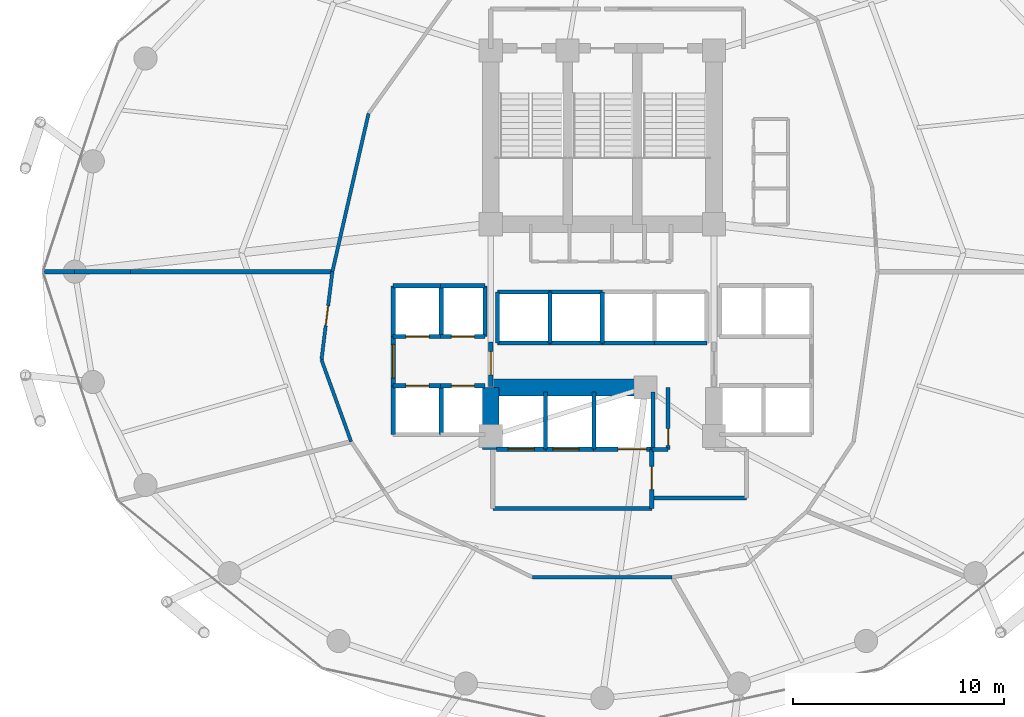
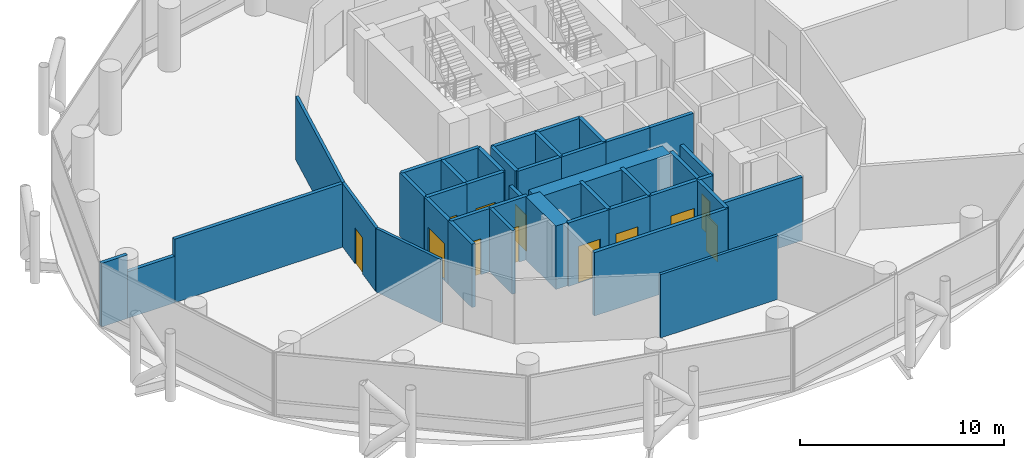
# One storey, part 21 of 24: 42 walls, 12 doors, 12 openings.
"""IFC4 building model written with IfcOpenShell, lengths in metres."""

from ifc_helpers import new_model, si_unit, direction, frame, frame_2d, origin, place, context, subcontext, project, spatial, rectangle, extrude, material, layer, layer_set, type_object, element, fill, save


model = new_model("IFC4")

# Units and contexts
model_context = context("Model", 3, precision=1e-05, world=origin(), true_north=direction((0.0, 1.0)))
body_context = subcontext(model_context, "Body", "Model", "MODEL_VIEW")
ifc_project = project(units=[si_unit("LENGTHUNIT", "METRE"), si_unit("AREAUNIT", "SQUARE_METRE"), si_unit("VOLUMEUNIT", "CUBIC_METRE"), si_unit("PLANEANGLEUNIT", "RADIAN"), si_unit("MASSUNIT", "GRAM", prefix="KILO")], contexts=[model_context])

# Site, building, storey
site_placement = place(None, origin())
site = spatial("IfcSite", under=ifc_project, at=site_placement, CompositionType="ELEMENT")
building_placement = place(site_placement, origin())
building = spatial("IfcBuilding", under=site, at=building_placement, Name="Nuhasar Tower", CompositionType="ELEMENT")
storey_placement = place(building_placement, frame((0.0, 0.0, 29.10009765625)))
storey = spatial("IfcBuildingStorey", under=building, at=storey_placement, Name="L06", CompositionType="ELEMENT", Elevation=29.10009765625)

# Walls
ifc_material_1 = material(Name="Concrete C80/95", Category="concrete")
ifc_layer_1 = layer(ifc_material_1, 0.800048828125)
ifc_layer_set_1 = layer_set([ifc_layer_1], Name="Concrete C80/95")
wall_type_1 = type_object("IfcWallType", Name="WL-CORE-800", PredefinedType="SHEAR", material=ifc_layer_set_1)
wall_1_placement = place(storey_placement, frame((33.699951171875, 18.35009765625, 0.0), z_axis=(0.0, 0.0, 1.0), x_axis=(0.0, 1.0, 0.0)))
element("IfcWall", 1, at=wall_1_placement, inside=storey, type_object=wall_type_1, Name="L06 Core Shear Wall CW-SW CW-800", PredefinedType="SHEAR", context=body_context, shape_type="SweptSolid", body=[
    extrude(rectangle(XDim=2.949951171875, YDim=0.800048828125, at=frame_2d((1.47509765625, 0.0))), origin(), (0.0, 0.0, 1.0), 3.789794921875),
])
wall_2_placement = place(storey_placement, frame((33.699951171875, 21.300048828125, 0.0), z_axis=(0.0, 0.0, 1.0), x_axis=(1.0, 0.0, 0.0)))
element("IfcWall", 2, at=wall_2_placement, inside=storey, type_object=wall_type_1, Name="L06 Core Shear Wall CW-S1 CW-800", PredefinedType="SHEAR", context=body_context, shape_type="SweptSolid", body=[
    extrude(rectangle(XDim=7.550048828125, YDim=0.800048828125, at=frame_2d((3.77490234375, 0.0))), origin(), (0.0, 0.0, 1.0), 3.789794921875),
])
ifc_material_2 = material(Name="Gypsum Board", Category="gypsum")
ifc_layer_2 = layer(ifc_material_2, 0.159912109375)
ifc_layer_set_2 = layer_set([ifc_layer_2], Name="Gypsum Board")
wall_type_2 = type_object("IfcWallType", Name="WL-CORR-160", PredefinedType="PARTITIONING", material=ifc_layer_set_2)
wall_3_placement = place(storey_placement, frame((27.89794921875, 34.31005859375, 0.0), z_axis=(0.0, 0.0, 1.0), x_axis=(-0.223002916051, -0.974817777553, 0.0)))
element("IfcWall", 3, at=wall_3_placement, inside=storey, type_object=wall_type_2, Name="L06 Interior Partition CORR-20", PredefinedType="PARTITIONING", context=body_context, shape_type="SweptSolid", body=[
    extrude(rectangle(XDim=7.7041015625, YDim=0.159912109375, at=frame_2d((3.85205078125, 0.0))), origin(), (0.0, 0.0, 1.0), 3.789794921875),
])

# Wall, opening, door
wall_4_placement = place(storey_placement, frame((25.6630859375, 22.614013671875, 0.0), z_axis=(0.0, 0.0, 1.0), x_axis=(0.122538537921, 0.992463755874, 0.0)))
wall_4 = element("IfcWall", 4, at=wall_4_placement, inside=storey, type_object=wall_type_2, Name="L06 Interior Partition CORR-24", PredefinedType="PARTITIONING", context=body_context, shape_type="SweptSolid", body=[
    extrude(rectangle(XDim=4.2177734375, YDim=0.159912109375, at=frame_2d((2.10888671875, 0.0))), origin(), (0.0, 0.0, 1.0), 3.789794921875),
])
opening_1_placement = place(wall_4_placement, frame((1.634033203125, 0.0, 0.0)))
opening_1 = element("IfcOpeningElement", 5, at=opening_1_placement, cuts=wall_4, Name="Opening DO-01", PredefinedType="OPENING", context=body_context, shape_type="SweptSolid", body=[
    extrude(rectangle(XDim=0.949951171875, YDim=2.14990234375, at=frame_2d((0.47509765625, 1.074951171875))), frame((0.0, 0.08984375, 0.0), z_axis=(0.0, -1.0, 0.0), x_axis=(1.0, 0.0, 0.0)), (0.0, 0.0, 1.0), 0.179931640625),
])
ifc_material_3 = material(Name="Timber Oak", Category="wood")
door_type_1 = type_object("IfcDoorType", Name="DR-OFFICE-FD30-950", OperationType="NOTDEFINED", PredefinedType="DOOR", material=ifc_material_3)
door_1_placement = place(opening_1_placement, origin())
door_1 = element("IfcDoor", 6, at=door_1_placement, inside=storey, type_object=door_type_1, Name="L06 Staff Bistro Pantry Entry Door", OperationType="SINGLE_SWING_LEFT", OverallHeight=2.14990234375, OverallWidth=0.949951171875, PredefinedType="DOOR", context=body_context, shape_type="SweptSolid", body=[
    extrude(rectangle(XDim=0.949951171875, YDim=2.14990234375, at=frame_2d((0.47509765625, 1.074951171875))), frame((0.0, 0.02490234375, 0.0), z_axis=(0.0, -1.0, 0.0), x_axis=(1.0, 0.0, 0.0)), (0.0, 0.0, 1.0), 0.050048828125),
])
fill(opening_1, door_1)

# Walls
wall_5_placement = place(storey_placement, frame((25.6630859375, 22.614013671875, 0.0), z_axis=(0.0, 0.0, 1.0), x_axis=(0.34058972089, -0.940212019719, 0.0)))
element("IfcWall", 7, at=wall_5_placement, inside=storey, type_object=wall_type_2, Name="L06 Interior Partition CORR-26", PredefinedType="PARTITIONING", context=body_context, shape_type="SweptSolid", body=[
    extrude(rectangle(XDim=4.131103515625, YDim=0.159912109375, at=frame_2d((2.0654296875, 0.0))), origin(), (0.0, 0.0, 1.0), 3.789794921875),
])
wall_6_placement = place(storey_placement, frame((35.681884765625, 12.2919921875, 0.0), z_axis=(0.0, 0.0, 1.0), x_axis=(1.0, 0.0, 0.0)))
element("IfcWall", 8, at=wall_6_placement, inside=storey, type_object=wall_type_2, Name="L06 Interior Partition CORR-34", PredefinedType="PARTITIONING", context=body_context, shape_type="SweptSolid", body=[
    extrude(rectangle(XDim=6.63623046875, YDim=0.159912109375, at=frame_2d((3.318115234375, 0.0))), origin(), (0.0, 0.0, 1.0), 3.789794921875),
])

# Wall, opening, door
ifc_material_4 = material(Name="Concrete C45/55", Category="concrete")
ifc_layer_3 = layer(ifc_material_4, 0.199951171875)
ifc_layer_set_3 = layer_set([ifc_layer_3], Name="Concrete C45/55")
wall_type_3 = type_object("IfcWallType", Name="WL-LOBBY-200", PredefinedType="SOLIDWALL", material=ifc_layer_set_3)
wall_7_placement = place(storey_placement, frame((29.070068359375, 21.3798828125, 0.0), z_axis=(0.0, 0.0, 1.0), x_axis=(0.0, 1.0, 0.0)))
wall_7 = element("IfcWall", 9, at=wall_7_placement, inside=storey, type_object=wall_type_3, Name="L06 Interior Partition LLBL-W", PredefinedType="SOLIDWALL", context=body_context, shape_type="SweptSolid", body=[
    extrude(rectangle(XDim=2.340087890625, YDim=0.199951171875, at=frame_2d((1.169921875, 0.0))), origin(), (0.0, 0.0, 1.0), 3.789794921875),
])
opening_2_placement = place(wall_7_placement, frame((0.3701171875, 0.0, 0.0)))
opening_2 = element("IfcOpeningElement", 10, at=opening_2_placement, cuts=wall_7, Name="Opening DC-01", PredefinedType="OPENING", context=body_context, shape_type="SweptSolid", body=[
    extrude(rectangle(XDim=1.60009765625, YDim=2.199951171875, at=frame_2d((0.800048828125, 1.10009765625))), frame((0.0, 0.10986328125, 0.0), z_axis=(0.0, -1.0, 0.0), x_axis=(1.0, 0.0, 0.0)), (0.0, 0.0, 1.0), 0.219970703125),
])
ifc_material_5 = material(Name="Steel S355", Category="steel")
door_type_2 = type_object("IfcDoorType", Name="DR-CORR-FD60-1600", OperationType="DOUBLE_DOOR_SINGLE_SWING", PredefinedType="DOOR", material=ifc_material_5)
door_2_placement = place(opening_2_placement, origin())
door_2 = element("IfcDoor", 11, at=door_2_placement, inside=storey, type_object=door_type_2, Name="L06 Low-Rise Lift Lobby West Entry", OperationType="DOUBLE_DOOR_SINGLE_SWING", OverallHeight=2.199951171875, OverallWidth=1.60009765625, PredefinedType="DOOR", context=body_context, shape_type="SweptSolid", body=[
    extrude(rectangle(XDim=1.60009765625, YDim=2.199951171875, at=frame_2d((0.800048828125, 1.10009765625))), frame((0.0, 0.02490234375, 0.0), z_axis=(0.0, -1.0, 0.0), x_axis=(1.0, 0.0, 0.0)), (0.0, 0.0, 1.0), 0.050048828125),
])
fill(opening_2, door_2)

wall_8_placement = place(storey_placement, frame((33.699951171875, 21.35009765625, 0.0), z_axis=(0.0, 0.0, 1.0), x_axis=(0.0, 1.0, 0.0)))
wall_8 = element("IfcWall", 12, at=wall_8_placement, inside=storey, type_object=wall_type_3, Name="L06 Interior Partition LLBH-W", PredefinedType="SOLIDWALL", context=body_context, shape_type="SweptSolid", body=[
    extrude(rectangle(XDim=2.099853515625, YDim=0.199951171875, at=frame_2d((1.0498046875, 0.0))), origin(), (0.0, 0.0, 1.0), 3.010009765625),
])
opening_3_placement = place(wall_8_placement, frame((0.550048828125, 0.0, 0.0)))
opening_3 = element("IfcOpeningElement", 13, at=opening_3_placement, cuts=wall_8, Name="Opening DS-02", PredefinedType="OPENING", context=body_context, shape_type="SweptSolid", body=[
    extrude(rectangle(XDim=1.10009765625, YDim=2.14990234375, at=frame_2d((0.550048828125, 1.074951171875))), frame((0.0, 0.10986328125, 0.0), z_axis=(0.0, -1.0, 0.0), x_axis=(1.0, 0.0, 0.0)), (0.0, 0.0, 1.0), 0.219970703125),
])
door_type_3 = type_object("IfcDoorType", Name="DR-FFL-FD120-1100", OperationType="NOTDEFINED", PredefinedType="DOOR", material=ifc_material_5)
door_3_placement = place(opening_3_placement, origin())
door_3 = element("IfcDoor", 14, at=door_3_placement, inside=storey, type_object=door_type_3, Name="L06 High-Rise Lobby West Door", OperationType="SINGLE_SWING_RIGHT", OverallHeight=2.14990234375, OverallWidth=1.10009765625, PredefinedType="DOOR", context=body_context, shape_type="SweptSolid", body=[
    extrude(rectangle(XDim=1.10009765625, YDim=2.14990234375, at=frame_2d((0.550048828125, 1.074951171875))), frame((0.0, 0.02490234375, 0.0), z_axis=(0.0, -1.0, 0.0), x_axis=(1.0, 0.0, 0.0)), (0.0, 0.0, 1.0), 0.050048828125),
])
fill(opening_3, door_3)

# Wall
wall_9_placement = place(storey_placement, frame((33.800048828125, 15.550048828125, 0.0), z_axis=(0.0, 0.0, 1.0), x_axis=(1.0, 0.0, 0.0)))
element("IfcWall", 15, at=wall_9_placement, inside=storey, type_object=wall_type_3, Name="L06 Interior Partition FFL-S", PredefinedType="SOLIDWALL", context=body_context, shape_type="SweptSolid", body=[
    extrude(rectangle(XDim=7.550048828125, YDim=0.199951171875, at=frame_2d((3.77490234375, 0.0))), origin(), (0.0, 0.0, 1.0), 3.789794921875),
])

# Wall, opening, door
wall_10_placement = place(storey_placement, frame((41.35009765625, 15.550048828125, 0.0), z_axis=(0.0, 0.0, 1.0), x_axis=(0.0, 1.0, 0.0)))
wall_10 = element("IfcWall", 16, at=wall_10_placement, inside=storey, type_object=wall_type_3, Name="L06 Interior Partition FFL-E", PredefinedType="SOLIDWALL", context=body_context, shape_type="SweptSolid", body=[
    extrude(rectangle(XDim=2.800048828125, YDim=0.199951171875, at=frame_2d((1.39990234375, 0.0))), origin(), (0.0, 0.0, 1.0), 3.789794921875),
])
opening_4_placement = place(wall_10_placement, frame((0.89990234375, 0.0, 0.0)))
opening_4 = element("IfcOpeningElement", 17, at=opening_4_placement, cuts=wall_10, Name="Opening DS-02", PredefinedType="OPENING", context=body_context, shape_type="SweptSolid", body=[
    extrude(rectangle(XDim=1.10009765625, YDim=2.14990234375, at=frame_2d((0.550048828125, 1.074951171875))), frame((0.0, 0.10986328125, 0.0), z_axis=(0.0, -1.0, 0.0), x_axis=(1.0, 0.0, 0.0)), (0.0, 0.0, 1.0), 0.219970703125),
])
door_4_placement = place(opening_4_placement, origin())
door_4 = element("IfcDoor", 18, at=door_4_placement, inside=storey, type_object=door_type_3, Name="L06 Firefighting Lobby Door", OperationType="SINGLE_SWING_RIGHT", OverallHeight=2.14990234375, OverallWidth=1.10009765625, PredefinedType="DOOR", context=body_context, shape_type="SweptSolid", body=[
    extrude(rectangle(XDim=1.10009765625, YDim=2.14990234375, at=frame_2d((0.550048828125, 1.074951171875))), frame((0.0, 0.02490234375, 0.0), z_axis=(0.0, -1.0, 0.0), x_axis=(1.0, 0.0, 0.0)), (0.0, 0.0, 1.0), 0.050048828125),
])
fill(opening_4, door_4)

# Wall
wall_11_placement = place(storey_placement, frame((41.35009765625, 16.050048828125, 0.0), z_axis=(0.0, 0.0, 1.0), x_axis=(1.0, 0.0, 0.0)))
element("IfcWall", 19, at=wall_11_placement, inside=storey, type_object=wall_type_3, Name="L06 Interior Partition SVLV-S", PredefinedType="SOLIDWALL", context=body_context, shape_type="SweptSolid", body=[
    extrude(rectangle(XDim=4.5, YDim=0.199951171875, at=frame_2d((2.25, 0.0))), origin(), (0.0, 0.0, 1.0), 3.789794921875),
])

# Wall, opening, door
ifc_layer_4 = layer(ifc_material_4, 0.199951171875)
ifc_layer_set_4 = layer_set([ifc_layer_4], Name="Concrete C45/55")
wall_type_4 = type_object("IfcWallType", Name="WL-SHAFT-200", PredefinedType="SOLIDWALL", material=ifc_layer_set_4)
wall_12_placement = place(storey_placement, frame((29.070068359375, 23.719970703125, 0.0), z_axis=(0.0, 0.0, 1.0), x_axis=(1.0, 0.0, 0.0)))
wall_12 = element("IfcWall", 20, at=wall_12_placement, inside=storey, type_object=wall_type_4, Name="L06 Interior Partition SHF-PL-L01-S", PredefinedType="SOLIDWALL", context=body_context, shape_type="SweptSolid", body=[
    extrude(rectangle(XDim=2.309814453125, YDim=0.199951171875, at=frame_2d((1.15478515625, 0.0))), origin(), (0.0, 0.0, 1.0), 3.789794921875),
])
opening_5_placement = place(wall_12_placement, frame((0.60498046875, 0.0, 0.0)))
opening_5 = element("IfcOpeningElement", 21, at=opening_5_placement, cuts=wall_12, Name="Opening LD-L01", PredefinedType="OPENING", context=body_context, shape_type="SweptSolid", body=[
    extrude(rectangle(XDim=1.10009765625, YDim=2.14990234375, at=frame_2d((0.550048828125, 1.074951171875))), frame((0.0, 0.10986328125, 0.0), z_axis=(0.0, -1.0, 0.0), x_axis=(1.0, 0.0, 0.0)), (0.0, 0.0, 1.0), 0.219970703125),
])
ifc_material_6 = material(Name="Stainless Steel 316L", Category="steel")
door_type_4 = type_object("IfcDoorType", Name="LD-PAX-1100", OperationType="DOUBLE_DOOR_SLIDING", PredefinedType="DOOR", material=ifc_material_6)
door_5_placement = place(opening_5_placement, origin())
door_5 = element("IfcDoor", 22, at=door_5_placement, inside=storey, type_object=door_type_4, Name="L06 Lift Landing Door PL-L01", OperationType="DOUBLE_DOOR_SLIDING", OverallHeight=2.14990234375, OverallWidth=1.10009765625, PredefinedType="DOOR", context=body_context, shape_type="SweptSolid", body=[
    extrude(rectangle(XDim=1.10009765625, YDim=2.14990234375, at=frame_2d((0.550048828125, 1.074951171875))), frame((0.0, 0.02490234375, 0.0), z_axis=(0.0, -1.0, 0.0), x_axis=(1.0, 0.0, 0.0)), (0.0, 0.0, 1.0), 0.050048828125),
])
fill(opening_5, door_5)

# Walls
wall_13_placement = place(storey_placement, frame((29.070068359375, 26.1298828125, 0.0), z_axis=(0.0, 0.0, 1.0), x_axis=(1.0, 0.0, 0.0)))
element("IfcWall", 23, at=wall_13_placement, inside=storey, type_object=wall_type_4, Name="L06 Interior Partition SHF-PL-L01-N", PredefinedType="SOLIDWALL", context=body_context, shape_type="SweptSolid", body=[
    extrude(rectangle(XDim=2.309814453125, YDim=0.199951171875, at=frame_2d((1.15478515625, 0.0))), origin(), (0.0, 0.0, 1.0), 3.789794921875),
])
for number, where, z_axis, x_axis, name in (
    (24, (29.070068359375, 23.719970703125, 0.0), (0.0, 0.0, 1.0), (0.0, 1.0, 0.0), "L06 Interior Partition SHF-PL-L01-W"),
    (25, (31.35009765625, 23.719970703125, 0.0), (0.0, 0.0, 1.0), (0.0, 1.0, 0.0), "L06 Interior Partition SHF-PL-L01-E"),
):
    element("IfcWall", number, at=place(storey_placement, frame(where, z_axis=z_axis, x_axis=x_axis)), inside=storey, type_object=wall_type_4, Name=name, PredefinedType="SOLIDWALL", context=body_context, shape_type="SweptSolid", body=[
        extrude(rectangle(XDim=2.409912109375, YDim=0.199951171875, at=frame_2d((1.205078125, 0.0))), origin(), (0.0, 0.0, 1.0), 3.789794921875),
    ])

# Wall, opening, door
wall_14_placement = place(storey_placement, frame((31.320068359375, 23.719970703125, 0.0), z_axis=(0.0, 0.0, 1.0), x_axis=(1.0, 0.0, 0.0)))
wall_14 = element("IfcWall", 26, at=wall_14_placement, inside=storey, type_object=wall_type_4, Name="L06 Interior Partition SHF-PL-L02-S", PredefinedType="SOLIDWALL", context=body_context, shape_type="SweptSolid", body=[
    extrude(rectangle(XDim=2.10986328125, YDim=0.199951171875, at=frame_2d((1.054931640625, 0.0))), origin(), (0.0, 0.0, 1.0), 3.789794921875),
])
opening_6_placement = place(wall_14_placement, frame((0.5048828125, 0.0, 0.0)))
opening_6 = element("IfcOpeningElement", 27, at=opening_6_placement, cuts=wall_14, Name="Opening LD-L02", PredefinedType="OPENING", context=body_context, shape_type="SweptSolid", body=[
    extrude(rectangle(XDim=1.10009765625, YDim=2.14990234375, at=frame_2d((0.550048828125, 1.074951171875))), frame((0.0, 0.10986328125, 0.0), z_axis=(0.0, -1.0, 0.0), x_axis=(1.0, 0.0, 0.0)), (0.0, 0.0, 1.0), 0.219970703125),
])
door_6_placement = place(opening_6_placement, origin())
door_6 = element("IfcDoor", 28, at=door_6_placement, inside=storey, type_object=door_type_4, Name="L06 Lift Landing Door PL-L02", OperationType="DOUBLE_DOOR_SLIDING", OverallHeight=2.14990234375, OverallWidth=1.10009765625, PredefinedType="DOOR", context=body_context, shape_type="SweptSolid", body=[
    extrude(rectangle(XDim=1.10009765625, YDim=2.14990234375, at=frame_2d((0.550048828125, 1.074951171875))), frame((0.0, 0.02490234375, 0.0), z_axis=(0.0, -1.0, 0.0), x_axis=(1.0, 0.0, 0.0)), (0.0, 0.0, 1.0), 0.050048828125),
])
fill(opening_6, door_6)

# Walls
wall_15_placement = place(storey_placement, frame((31.320068359375, 26.1298828125, 0.0), z_axis=(0.0, 0.0, 1.0), x_axis=(1.0, 0.0, 0.0)))
element("IfcWall", 29, at=wall_15_placement, inside=storey, type_object=wall_type_4, Name="L06 Interior Partition SHF-PL-L02-N", PredefinedType="SOLIDWALL", context=body_context, shape_type="SweptSolid", body=[
    extrude(rectangle(XDim=2.10986328125, YDim=0.199951171875, at=frame_2d((1.054931640625, 0.0))), origin(), (0.0, 0.0, 1.0), 3.789794921875),
])
wall_16_placement = place(storey_placement, frame((33.429931640625, 23.719970703125, 0.0), z_axis=(0.0, 0.0, 1.0), x_axis=(0.0, 1.0, 0.0)))
element("IfcWall", 30, at=wall_16_placement, inside=storey, type_object=wall_type_4, Name="L06 Interior Partition SHF-PL-L02-E", PredefinedType="SOLIDWALL", context=body_context, shape_type="SweptSolid", body=[
    extrude(rectangle(XDim=2.409912109375, YDim=0.199951171875, at=frame_2d((1.205078125, 0.0))), origin(), (0.0, 0.0, 1.0), 3.789794921875),
])

# Wall, opening, door
wall_17_placement = place(storey_placement, frame((29.070068359375, 21.3798828125, 0.0), z_axis=(0.0, 0.0, 1.0), x_axis=(1.0, 0.0, 0.0)))
wall_17 = element("IfcWall", 31, at=wall_17_placement, inside=storey, type_object=wall_type_4, Name="L06 Interior Partition SHF-PL-L03-N", PredefinedType="SOLIDWALL", context=body_context, shape_type="SweptSolid", body=[
    extrude(rectangle(XDim=2.309814453125, YDim=0.199951171875, at=frame_2d((1.15478515625, 0.0))), origin(), (0.0, 0.0, 1.0), 3.789794921875),
])
opening_7_placement = place(wall_17_placement, frame((0.60498046875, 0.0, 0.0)))
opening_7 = element("IfcOpeningElement", 32, at=opening_7_placement, cuts=wall_17, Name="Opening LD-L03", PredefinedType="OPENING", context=body_context, shape_type="SweptSolid", body=[
    extrude(rectangle(XDim=1.10009765625, YDim=2.14990234375, at=frame_2d((0.550048828125, 1.074951171875))), frame((0.0, 0.10986328125, 0.0), z_axis=(0.0, -1.0, 0.0), x_axis=(1.0, 0.0, 0.0)), (0.0, 0.0, 1.0), 0.219970703125),
])
door_7_placement = place(opening_7_placement, origin())
door_7 = element("IfcDoor", 33, at=door_7_placement, inside=storey, type_object=door_type_4, Name="L06 Lift Landing Door PL-L03", OperationType="DOUBLE_DOOR_SLIDING", OverallHeight=2.14990234375, OverallWidth=1.10009765625, PredefinedType="DOOR", context=body_context, shape_type="SweptSolid", body=[
    extrude(rectangle(XDim=1.10009765625, YDim=2.14990234375, at=frame_2d((0.550048828125, 1.074951171875))), frame((0.0, 0.02490234375, 0.0), z_axis=(0.0, -1.0, 0.0), x_axis=(1.0, 0.0, 0.0)), (0.0, 0.0, 1.0), 0.050048828125),
])
fill(opening_7, door_7)

# Walls
for number, where, z_axis, x_axis, name in (
    (34, (29.070068359375, 19.070068359375, 0.0), (0.0, 0.0, 1.0), (0.0, 1.0, 0.0), "L06 Interior Partition SHF-PL-L03-W"),
    (35, (31.35009765625, 19.070068359375, 0.0), (0.0, 0.0, 1.0), (0.0, 1.0, 0.0), "L06 Interior Partition SHF-PL-L03-E"),
):
    element("IfcWall", number, at=place(storey_placement, frame(where, z_axis=z_axis, x_axis=x_axis)), inside=storey, type_object=wall_type_4, Name=name, PredefinedType="SOLIDWALL", context=body_context, shape_type="SweptSolid", body=[
        extrude(rectangle(XDim=2.309814453125, YDim=0.199951171875, at=frame_2d((1.15478515625, 0.0))), origin(), (0.0, 0.0, 1.0), 3.789794921875),
    ])

# Wall, opening, door
wall_18_placement = place(storey_placement, frame((31.320068359375, 21.3798828125, 0.0), z_axis=(0.0, 0.0, 1.0), x_axis=(1.0, 0.0, 0.0)))
wall_18 = element("IfcWall", 36, at=wall_18_placement, inside=storey, type_object=wall_type_4, Name="L06 Interior Partition SHF-PL-L04-N", PredefinedType="SOLIDWALL", context=body_context, shape_type="SweptSolid", body=[
    extrude(rectangle(XDim=2.10986328125, YDim=0.199951171875, at=frame_2d((1.054931640625, 0.0))), origin(), (0.0, 0.0, 1.0), 3.789794921875),
])
opening_8_placement = place(wall_18_placement, frame((0.5048828125, 0.0, 0.0)))
opening_8 = element("IfcOpeningElement", 37, at=opening_8_placement, cuts=wall_18, Name="Opening LD-L04", PredefinedType="OPENING", context=body_context, shape_type="SweptSolid", body=[
    extrude(rectangle(XDim=1.10009765625, YDim=2.14990234375, at=frame_2d((0.550048828125, 1.074951171875))), frame((0.0, 0.10986328125, 0.0), z_axis=(0.0, -1.0, 0.0), x_axis=(1.0, 0.0, 0.0)), (0.0, 0.0, 1.0), 0.219970703125),
])
door_8_placement = place(opening_8_placement, origin())
door_8 = element("IfcDoor", 38, at=door_8_placement, inside=storey, type_object=door_type_4, Name="L06 Lift Landing Door PL-L04", OperationType="DOUBLE_DOOR_SLIDING", OverallHeight=2.14990234375, OverallWidth=1.10009765625, PredefinedType="DOOR", context=body_context, shape_type="SweptSolid", body=[
    extrude(rectangle(XDim=1.10009765625, YDim=2.14990234375, at=frame_2d((0.550048828125, 1.074951171875))), frame((0.0, 0.02490234375, 0.0), z_axis=(0.0, -1.0, 0.0), x_axis=(1.0, 0.0, 0.0)), (0.0, 0.0, 1.0), 0.050048828125),
])
fill(opening_8, door_8)

# Walls
for number, where, z_axis, x_axis, name in (
    (39, (34.02001953125, 23.419921875, 0.0), (0.0, 0.0, 1.0), (1.0, 0.0, 0.0), "L06 Interior Partition SHF-PL-H01-S"),
    (40, (34.02001953125, 25.830078125, 0.0), (0.0, 0.0, 1.0), (1.0, 0.0, 0.0), "L06 Interior Partition SHF-PL-H01-N"),
):
    element("IfcWall", number, at=place(storey_placement, frame(where, z_axis=z_axis, x_axis=x_axis)), inside=storey, type_object=wall_type_4, Name=name, PredefinedType="SOLIDWALL", context=body_context, shape_type="SweptSolid", body=[
        extrude(rectangle(XDim=2.5, YDim=0.199951171875, at=frame_2d((1.25, 0.0))), origin(), (0.0, 0.0, 1.0), 3.789794921875),
    ])
for number, where, z_axis, x_axis, name in (
    (41, (34.02001953125, 23.419921875, 0.0), (0.0, 0.0, 1.0), (0.0, 1.0, 0.0), "L06 Interior Partition SHF-PL-H01-W"),
    (42, (36.510009765625, 23.419921875, 0.0), (0.0, 0.0, 1.0), (0.0, 1.0, 0.0), "L06 Interior Partition SHF-PL-H01-E"),
):
    element("IfcWall", number, at=place(storey_placement, frame(where, z_axis=z_axis, x_axis=x_axis)), inside=storey, type_object=wall_type_4, Name=name, PredefinedType="SOLIDWALL", context=body_context, shape_type="SweptSolid", body=[
        extrude(rectangle(XDim=2.41015625, YDim=0.199951171875, at=frame_2d((1.205078125, 0.0))), origin(), (0.0, 0.0, 1.0), 3.789794921875),
    ])
for number, where, z_axis, x_axis, name in (
    (43, (36.5, 23.419921875, 0.0), (0.0, 0.0, 1.0), (1.0, 0.0, 0.0), "L06 Interior Partition SHF-PL-H02-S"),
    (44, (36.5, 25.830078125, 0.0), (0.0, 0.0, 1.0), (1.0, 0.0, 0.0), "L06 Interior Partition SHF-PL-H02-N"),
):
    element("IfcWall", number, at=place(storey_placement, frame(where, z_axis=z_axis, x_axis=x_axis)), inside=storey, type_object=wall_type_4, Name=name, PredefinedType="SOLIDWALL", context=body_context, shape_type="SweptSolid", body=[
        extrude(rectangle(XDim=2.5, YDim=0.199951171875, at=frame_2d((1.25, 0.0))), origin(), (0.0, 0.0, 1.0), 3.789794921875),
    ])
wall_19_placement = place(storey_placement, frame((38.989990234375, 23.419921875, 0.0), z_axis=(0.0, 0.0, 1.0), x_axis=(0.0, 1.0, 0.0)))
element("IfcWall", 45, at=wall_19_placement, inside=storey, type_object=wall_type_4, Name="L06 Interior Partition SHF-PL-H02-E", PredefinedType="SOLIDWALL", context=body_context, shape_type="SweptSolid", body=[
    extrude(rectangle(XDim=2.41015625, YDim=0.199951171875, at=frame_2d((1.205078125, 0.0))), origin(), (0.0, 0.0, 1.0), 3.789794921875),
])
for number, where, z_axis, x_axis, name in (
    (46, (38.97998046875, 23.419921875, 0.0), (0.0, 0.0, 1.0), (1.0, 0.0, 0.0), "L06 Interior Partition SHF-PL-H03-S"),
    (47, (41.4599609375, 23.419921875, 0.0), (0.0, 0.0, 1.0), (1.0, 0.0, 0.0), "L06 Interior Partition SHF-PL-H04-S"),
):
    element("IfcWall", number, at=place(storey_placement, frame(where, z_axis=z_axis, x_axis=x_axis)), inside=storey, type_object=wall_type_4, Name=name, PredefinedType="SOLIDWALL", context=body_context, shape_type="SweptSolid", body=[
        extrude(rectangle(XDim=2.5, YDim=0.199951171875, at=frame_2d((1.25, 0.0))), origin(), (0.0, 0.0, 1.0), 3.789794921875),
    ])

# Wall, opening, door
wall_20_placement = place(storey_placement, frame((33.969970703125, 18.3701171875, 0.0), z_axis=(0.0, 0.0, 1.0), x_axis=(1.0, 0.0, 0.0)))
wall_20 = element("IfcWall", 48, at=wall_20_placement, inside=storey, type_object=wall_type_4, Name="L06 Interior Partition SHF-FFL-01-S", PredefinedType="SOLIDWALL", context=body_context, shape_type="SweptSolid", body=[
    extrude(rectangle(XDim=2.360107421875, YDim=0.199951171875, at=frame_2d((1.18017578125, 0.0))), origin(), (0.0, 0.0, 1.0), 3.789794921875),
])
opening_9_placement = place(wall_20_placement, frame((0.554931640625, 0.0, 0.0)))
opening_9 = element("IfcOpeningElement", 49, at=opening_9_placement, cuts=wall_20, Name="Opening LD-F01", PredefinedType="OPENING", context=body_context, shape_type="SweptSolid", body=[
    extrude(rectangle(XDim=1.25, YDim=2.199951171875, at=frame_2d((0.625, 1.10009765625))), frame((0.0, 0.10986328125, 0.0), z_axis=(0.0, -1.0, 0.0), x_axis=(1.0, 0.0, 0.0)), (0.0, 0.0, 1.0), 0.219970703125),
])
door_type_5 = type_object("IfcDoorType", Name="LD-FFL-1250", OperationType="DOUBLE_DOOR_SLIDING", PredefinedType="DOOR", material=ifc_material_6)
door_9_placement = place(opening_9_placement, origin())
door_9 = element("IfcDoor", 50, at=door_9_placement, inside=storey, type_object=door_type_5, Name="L06 Lift Landing Door FFL-01", OperationType="DOUBLE_DOOR_SLIDING", OverallHeight=2.199951171875, OverallWidth=1.25, PredefinedType="DOOR", context=body_context, shape_type="SweptSolid", body=[
    extrude(rectangle(XDim=1.25, YDim=2.199951171875, at=frame_2d((0.625, 1.10009765625))), frame((0.0, 0.02490234375, 0.0), z_axis=(0.0, -1.0, 0.0), x_axis=(1.0, 0.0, 0.0)), (0.0, 0.0, 1.0), 0.050048828125),
])
fill(opening_9, door_9)

# Wall
wall_21_placement = place(storey_placement, frame((36.300048828125, 18.3701171875, 0.0), z_axis=(0.0, 0.0, 1.0), x_axis=(0.0, 1.0, 0.0)))
element("IfcWall", 51, at=wall_21_placement, inside=storey, type_object=wall_type_4, Name="L06 Interior Partition SHF-FFL-01-E", PredefinedType="SOLIDWALL", context=body_context, shape_type="SweptSolid", body=[
    extrude(rectangle(XDim=2.7099609375, YDim=0.199951171875, at=frame_2d((1.35498046875, 0.0))), origin(), (0.0, 0.0, 1.0), 3.789794921875),
])

# Wall, opening, door
wall_22_placement = place(storey_placement, frame((36.27001953125, 18.3701171875, 0.0), z_axis=(0.0, 0.0, 1.0), x_axis=(1.0, 0.0, 0.0)))
wall_22 = element("IfcWall", 52, at=wall_22_placement, inside=storey, type_object=wall_type_4, Name="L06 Interior Partition SHF-FFL-02-S", PredefinedType="SOLIDWALL", context=body_context, shape_type="SweptSolid", body=[
    extrude(rectangle(XDim=2.35986328125, YDim=0.199951171875, at=frame_2d((1.179931640625, 0.0))), origin(), (0.0, 0.0, 1.0), 3.789794921875),
])
opening_10_placement = place(wall_22_placement, frame((0.3798828125, 0.0, 0.0)))
opening_10 = element("IfcOpeningElement", 53, at=opening_10_placement, cuts=wall_22, Name="Opening LD-F02", PredefinedType="OPENING", context=body_context, shape_type="SweptSolid", body=[
    extrude(rectangle(XDim=1.25, YDim=2.199951171875, at=frame_2d((0.625, 1.10009765625))), frame((0.0, 0.10986328125, 0.0), z_axis=(0.0, -1.0, 0.0), x_axis=(1.0, 0.0, 0.0)), (0.0, 0.0, 1.0), 0.219970703125),
])
door_10_placement = place(opening_10_placement, origin())
door_10 = element("IfcDoor", 54, at=door_10_placement, inside=storey, type_object=door_type_5, Name="L06 Lift Landing Door FFL-02", OperationType="DOUBLE_DOOR_SLIDING", OverallHeight=2.199951171875, OverallWidth=1.25, PredefinedType="DOOR", context=body_context, shape_type="SweptSolid", body=[
    extrude(rectangle(XDim=1.25, YDim=2.199951171875, at=frame_2d((0.625, 1.10009765625))), frame((0.0, 0.02490234375, 0.0), z_axis=(0.0, -1.0, 0.0), x_axis=(1.0, 0.0, 0.0)), (0.0, 0.0, 1.0), 0.050048828125),
])
fill(opening_10, door_10)

# Wall
wall_23_placement = place(storey_placement, frame((38.60009765625, 18.3701171875, 0.0), z_axis=(0.0, 0.0, 1.0), x_axis=(0.0, 1.0, 0.0)))
element("IfcWall", 55, at=wall_23_placement, inside=storey, type_object=wall_type_4, Name="L06 Interior Partition SHF-FFL-02-E", PredefinedType="SOLIDWALL", context=body_context, shape_type="SweptSolid", body=[
    extrude(rectangle(XDim=2.7099609375, YDim=0.199951171875, at=frame_2d((1.35498046875, 0.0))), origin(), (0.0, 0.0, 1.0), 3.789794921875),
])

# Wall, opening, door
wall_24_placement = place(storey_placement, frame((38.570068359375, 18.3701171875, 0.0), z_axis=(0.0, 0.0, 1.0), x_axis=(1.0, 0.0, 0.0)))
wall_24 = element("IfcWall", 56, at=wall_24_placement, inside=storey, type_object=wall_type_4, Name="L06 Interior Partition SHF-SVL-01-S", PredefinedType="SOLIDWALL", context=body_context, shape_type="SweptSolid", body=[
    extrude(rectangle(XDim=2.829833984375, YDim=0.199951171875, at=frame_2d((1.4150390625, 0.0))), origin(), (0.0, 0.0, 1.0), 3.789794921875),
])
opening_11_placement = place(wall_24_placement, frame((1.179931640625, 0.0, 0.0)))
opening_11 = element("IfcOpeningElement", 57, at=opening_11_placement, cuts=wall_24, Name="Opening LD-S01", PredefinedType="OPENING", context=body_context, shape_type="SweptSolid", body=[
    extrude(rectangle(XDim=1.35009765625, YDim=2.179931640625, at=frame_2d((0.675048828125, 1.08984375))), frame((0.0, 0.10986328125, 0.0), z_axis=(0.0, -1.0, 0.0), x_axis=(1.0, 0.0, 0.0)), (0.0, 0.0, 1.0), 0.219970703125),
])
door_type_6 = type_object("IfcDoorType", Name="LD-SVL-1350", OperationType="DOUBLE_DOOR_SLIDING", PredefinedType="DOOR", material=ifc_material_6)
door_11_placement = place(opening_11_placement, origin())
door_11 = element("IfcDoor", 58, at=door_11_placement, inside=storey, type_object=door_type_6, Name="L06 Lift Landing Door SVL-01", OperationType="DOUBLE_DOOR_SLIDING", OverallHeight=2.179931640625, OverallWidth=1.35009765625, PredefinedType="DOOR", context=body_context, shape_type="SweptSolid", body=[
    extrude(rectangle(XDim=1.35009765625, YDim=2.179931640625, at=frame_2d((0.675048828125, 1.08984375))), frame((0.0, 0.02490234375, 0.0), z_axis=(0.0, -1.0, 0.0), x_axis=(1.0, 0.0, 0.0)), (0.0, 0.0, 1.0), 0.050048828125),
])
fill(opening_11, door_11)

# Wall
wall_25_placement = place(storey_placement, frame((41.39990234375, 18.3701171875, 0.0), z_axis=(0.0, 0.0, 1.0), x_axis=(0.0, 1.0, 0.0)))
element("IfcWall", 59, at=wall_25_placement, inside=storey, type_object=wall_type_4, Name="L06 Interior Partition SHF-SVL-01-E", PredefinedType="SOLIDWALL", context=body_context, shape_type="SweptSolid", body=[
    extrude(rectangle(XDim=2.7099609375, YDim=0.199951171875, at=frame_2d((1.35498046875, 0.0))), origin(), (0.0, 0.0, 1.0), 3.789794921875),
])

# Wall, opening, door
wall_26_placement = place(storey_placement, frame((42.1201171875, 18.35009765625, 0.0), z_axis=(0.0, 0.0, 1.0), x_axis=(0.0, 1.0, 0.0)))
wall_26 = element("IfcWall", 60, at=wall_26_placement, inside=storey, type_object=wall_type_4, Name="L06 Interior Partition RSR-E", PredefinedType="SOLIDWALL", context=body_context, shape_type="SweptSolid", body=[
    extrude(rectangle(XDim=2.949951171875, YDim=0.199951171875, at=frame_2d((1.47509765625, 0.0))), origin(), (0.0, 0.0, 1.0), 3.789794921875),
])
opening_12_placement = place(wall_26_placement, frame((0.199951171875, 0.0, 0.0)))
opening_12 = element("IfcOpeningElement", 61, at=opening_12_placement, cuts=wall_26, Name="Opening DM-01", PredefinedType="OPENING", context=body_context, shape_type="SweptSolid", body=[
    extrude(rectangle(XDim=0.800048828125, YDim=2.050048828125, at=frame_2d((0.39990234375, 1.02490234375))), frame((0.0, 0.10986328125, 0.0), z_axis=(0.0, -1.0, 0.0), x_axis=(1.0, 0.0, 0.0)), (0.0, 0.0, 1.0), 0.219970703125),
])
door_type_7 = type_object("IfcDoorType", Name="DR-RISER-FD60-800", OperationType="NOTDEFINED", PredefinedType="DOOR", material=ifc_material_5)
door_12_placement = place(opening_12_placement, origin())
door_12 = element("IfcDoor", 62, at=door_12_placement, inside=storey, type_object=door_type_7, Name="L06 MEP Riser Access Door", OperationType="SINGLE_SWING_LEFT", OverallHeight=2.050048828125, OverallWidth=0.800048828125, PredefinedType="DOOR", context=body_context, shape_type="SweptSolid", body=[
    extrude(rectangle(XDim=0.800048828125, YDim=2.050048828125, at=frame_2d((0.39990234375, 1.02490234375))), frame((0.0, 0.02490234375, 0.0), z_axis=(0.0, -1.0, 0.0), x_axis=(1.0, 0.0, 0.0)), (0.0, 0.0, 1.0), 0.050048828125),
])
fill(opening_12, door_12)

# Walls
wall_27_placement = place(storey_placement, frame((41.35009765625, 18.35009765625, 0.0), z_axis=(0.0, 0.0, 1.0), x_axis=(1.0, 0.0, 0.0)))
element("IfcWall", 63, at=wall_27_placement, inside=storey, type_object=wall_type_4, Name="L06 Interior Partition RSR-S", PredefinedType="SOLIDWALL", context=body_context, shape_type="SweptSolid", body=[
    extrude(rectangle(XDim=0.77001953125, YDim=0.199951171875, at=frame_2d((0.385009765625, 0.0))), origin(), (0.0, 0.0, 1.0), 3.789794921875),
])
ifc_material_7 = material(Name="Concrete C40/50 precast", Category="concrete")
ifc_layer_5 = layer(ifc_material_7, 0.199951171875)
ifc_layer_set_5 = layer_set([ifc_layer_5], Name="Concrete C40/50 precast")
wall_type_5 = type_object("IfcWallType", Name="WL-UNIT-200", PredefinedType="PARTITIONING", material=ifc_layer_set_5)
wall_28_placement = place(storey_placement, frame((26.179931640625, 26.800048828125, 0.0), z_axis=(0.0, 0.0, 1.0), x_axis=(-1.0, 0.0, 0.0)))
element("IfcWall", 64, at=wall_28_placement, inside=storey, type_object=wall_type_5, Name="L06 Interior Partition ORAD-24", PredefinedType="PARTITIONING", context=body_context, shape_type="SweptSolid", body=[
    extrude(rectangle(XDim=9.580810546875, YDim=0.199951171875, at=frame_2d((4.79052734375, 0.0))), origin(), (0.0, 0.0, 1.0), 3.789794921875),
])
wall_29_placement = place(storey_placement, frame((16.59912109375, 26.800048828125, 0.0), z_axis=(0.0, 0.0, 1.0), x_axis=(-1.0, 0.0, 0.0)))
element("IfcWall", 65, at=wall_29_placement, inside=storey, type_object=wall_type_5, Name="L06 Interior Partition ORAD-24", PredefinedType="PARTITIONING", context=body_context, shape_type="SweptSolid", body=[
    extrude(rectangle(XDim=2.66015625, YDim=0.199951171875, at=frame_2d((1.330078125, 0.0))), origin(), (0.0, 0.0, 1.0), 2.77978515625),
])
wall_30_placement = place(storey_placement, frame((13.93896484375, 26.800048828125, 0.0), z_axis=(0.0, 0.0, 1.0), x_axis=(-1.0, 0.0, 0.0)))
element("IfcWall", 66, at=wall_30_placement, inside=storey, type_object=wall_type_5, Name="L06 Interior Partition ORAD-24", PredefinedType="PARTITIONING", context=body_context, shape_type="SweptSolid", body=[
    extrude(rectangle(XDim=1.4638671875, YDim=0.199951171875, at=frame_2d((0.73193359375, 0.0))), origin(), (0.0, 0.0, 1.0), 3.789794921875),
])

save(model, "model.ifc")
